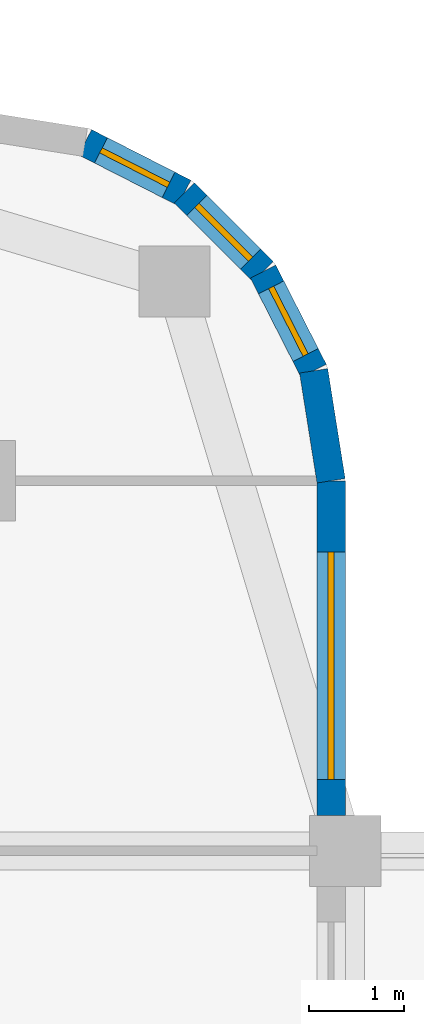
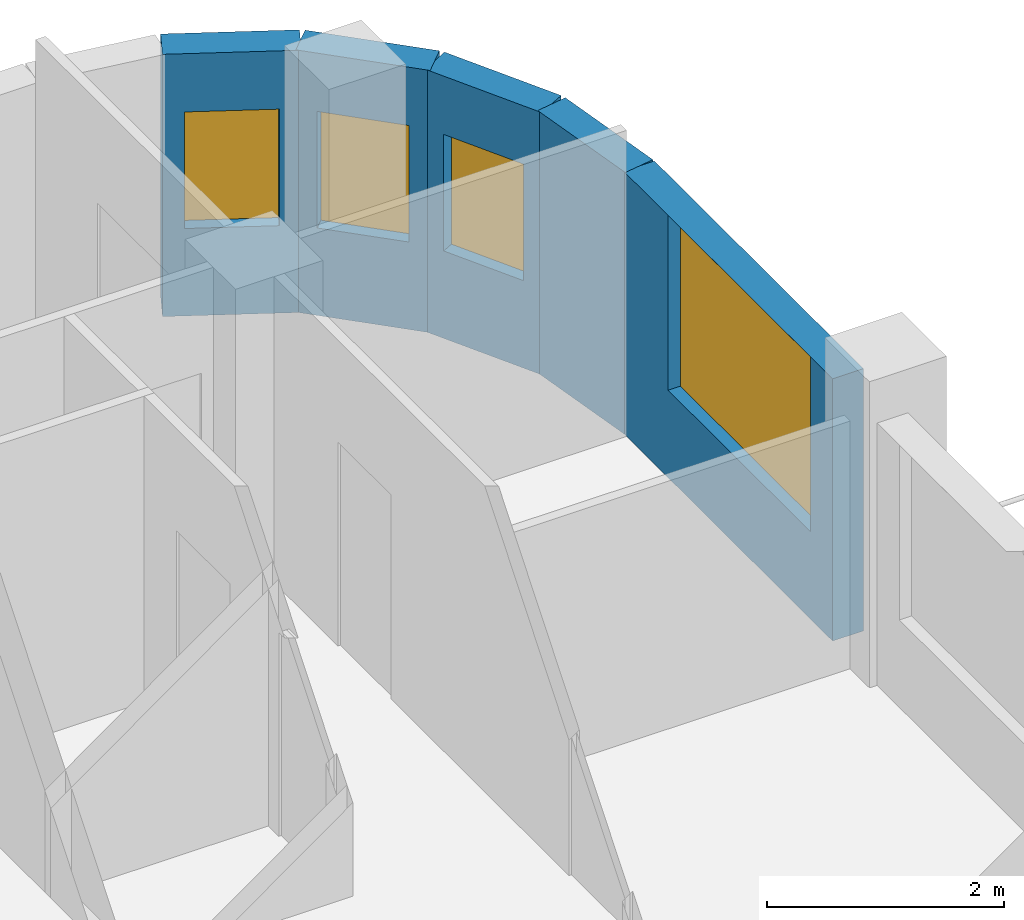
# One storey, part 9 of 13: 5 walls, 4 windows, 4 openings.
"""IFC4 building model written with IfcOpenShell, lengths in metres."""

from ifc_helpers import new_model, si_unit, direction, frame, frame_2d, origin, place, context, subcontext, project, spatial, rectangle, extrude, material, layer, layer_set, type_object, element, fill, save


model = new_model("IFC4")

# Units and contexts
model_context = context("Model", 3, precision=1e-05, world=origin(), true_north=direction((0.0, 1.0)))
body_context = subcontext(model_context, "Body", "Model", "MODEL_VIEW")
ifc_project = project(units=[si_unit("LENGTHUNIT", "METRE"), si_unit("AREAUNIT", "SQUARE_METRE"), si_unit("VOLUMEUNIT", "CUBIC_METRE"), si_unit("PLANEANGLEUNIT", "RADIAN"), si_unit("MASSUNIT", "GRAM", prefix="KILO")], contexts=[model_context])

# Site, building, storey
site_placement = place(None, origin())
site = spatial("IfcSite", under=ifc_project, at=site_placement, CompositionType="ELEMENT")
building_placement = place(site_placement, origin())
building = spatial("IfcBuilding", under=site, at=building_placement, Name="Ludao Terraces", CompositionType="ELEMENT")
storey_placement = place(building_placement, frame((0.0, 0.0, 155.39990234375)))
storey = spatial("IfcBuildingStorey", under=building, at=storey_placement, Name="L42", CompositionType="ELEMENT", Elevation=155.39990234375)

# Wall, opening, window
ifc_material_1 = material(Name="Granite cladding", Category="masonry")
ifc_layer_1 = layer(ifc_material_1, 0.0400390625, Category="stone")
ifc_material_2 = material(Name="Mineral wool")
ifc_layer_2 = layer(ifc_material_2, 0.06005859375)
ifc_material_3 = material(Name="Concrete C40", Category="concrete")
ifc_layer_3 = layer(ifc_material_3, 0.199951171875, Category="concrete")
ifc_layer_set_1 = layer_set([ifc_layer_1, ifc_layer_2, ifc_layer_3], Name="ENV Stone-clad wall 300")
wall_type = type_object("IfcWallType", Name="ENV Stone-clad wall 300", PredefinedType="SOLIDWALL", material=ifc_layer_set_1)
wall_1_placement = place(storey_placement, frame((104.35009765625, 77.074951171875, 0.0), z_axis=(0.0, 0.0, 1.0), x_axis=(0.0, 1.0, 0.0)))
wall_1 = element("IfcWall", 1, at=wall_1_placement, inside=storey, type_object=wall_type, Name="EW-L42-E5", PredefinedType="SOLIDWALL", context=body_context, shape_type="SweptSolid", body=[
    extrude(rectangle(XDim=3.525146484375, YDim=0.300048828125, at=frame_2d((1.7626953125, 0.0))), origin(), (0.0, 0.0, 1.0), 2.7001953125),
])
opening_1_placement = place(wall_1_placement, frame((0.375, 0.0, 0.89990234375)))
opening_1 = element("IfcOpeningElement", 2, at=opening_1_placement, cuts=wall_1, Name="Opening W1", PredefinedType="OPENING", context=body_context, shape_type="SweptSolid", body=[
    extrude(rectangle(XDim=2.39990234375, YDim=1.800048828125, at=frame_2d((1.199951171875, 0.89990234375))), frame((0.0, 0.16015625, 0.0), z_axis=(0.0, -1.0, 0.0), x_axis=(1.0, 0.0, 0.0)), (0.0, 0.0, 1.0), 0.320068359375),
])
ifc_material_4 = material(Name="Clear glass in aluminium frame", Category="aluminium")
ifc_layer_4 = layer(ifc_material_4, 0.06005859375)
ifc_layer_set_2 = layer_set([ifc_layer_4], Name="ENV Window W1 2400x1800")
window_type_1 = type_object("IfcWindowType", Name="ENV Window W1 2400x1800", PartitioningType="DOUBLE_PANEL_VERTICAL", PredefinedType="WINDOW", material=ifc_layer_set_2)
window_1_placement = place(opening_1_placement, origin())
window_1 = element("IfcWindow", 3, at=window_1_placement, inside=storey, type_object=window_type_1, Name="W-L42-E5-1", OverallHeight=1.800048828125, OverallWidth=2.39990234375, PartitioningType="DOUBLE_PANEL_VERTICAL", PredefinedType="WINDOW", context=body_context, shape_type="SweptSolid", body=[
    extrude(rectangle(XDim=2.39990234375, YDim=1.800048828125, at=frame_2d((1.199951171875, 0.89990234375))), frame((0.0, 0.030029296875, 0.0), z_axis=(0.0, -1.0, 0.0), x_axis=(1.0, 0.0, 0.0)), (0.0, 0.0, 1.0), 0.06005859375),
])
fill(opening_1, window_1)

# Wall
wall_2_placement = place(storey_placement, frame((104.35009765625, 80.60009765625, 0.0), z_axis=(0.0, 0.0, 1.0), x_axis=(-0.156496880861, 0.987678452879, 0.0)))
element("IfcWall", 4, at=wall_2_placement, inside=storey, type_object=wall_type, Name="EW-L42-NE1", PredefinedType="SOLIDWALL", context=body_context, shape_type="SweptSolid", body=[
    extrude(rectangle(XDim=1.173095703125, YDim=0.300048828125, at=frame_2d((0.58642578125, 0.0))), origin(), (0.0, 0.0, 1.0), 2.7001953125),
])

# Wall, opening, window
wall_3_placement = place(storey_placement, frame((104.16650390625, 81.7587890625, 0.0), z_axis=(0.0, 0.0, 1.0), x_axis=(-0.454025524128, 0.890988677504, 0.0)))
wall_3 = element("IfcWall", 5, at=wall_3_placement, inside=storey, type_object=wall_type, Name="EW-L42-NE2", PredefinedType="SOLIDWALL", context=body_context, shape_type="SweptSolid", body=[
    extrude(rectangle(XDim=1.17333984375, YDim=0.300048828125, at=frame_2d((0.586669921875, 0.0))), origin(), (0.0, 0.0, 1.0), 2.7001953125),
])
opening_2_placement = place(wall_3_placement, frame((0.1865234375, 0.0, 0.89990234375)))
opening_2 = element("IfcOpeningElement", 6, at=opening_2_placement, cuts=wall_3, Name="Opening W3", PredefinedType="OPENING", context=body_context, shape_type="SweptSolid", body=[
    extrude(rectangle(XDim=0.800048828125, YDim=1.199951171875, at=frame_2d((0.39990234375, 0.60009765625))), frame((0.0, 0.16015625, 0.0), z_axis=(0.0, -1.0, 0.0), x_axis=(1.0, 0.0, 0.0)), (0.0, 0.0, 1.0), 0.320068359375),
])
ifc_layer_5 = layer(ifc_material_4, 0.06005859375)
ifc_layer_set_3 = layer_set([ifc_layer_5], Name="ENV Window W3 800x1200")
window_type_2 = type_object("IfcWindowType", Name="ENV Window W3 800x1200", PartitioningType="SINGLE_PANEL", PredefinedType="WINDOW", material=ifc_layer_set_3)
window_2_placement = place(opening_2_placement, origin())
window_2 = element("IfcWindow", 7, at=window_2_placement, inside=storey, type_object=window_type_2, Name="W-L42-NE2", OverallHeight=1.199951171875, OverallWidth=0.800048828125, PartitioningType="SINGLE_PANEL", PredefinedType="WINDOW", context=body_context, shape_type="SweptSolid", body=[
    extrude(rectangle(XDim=0.800048828125, YDim=1.199951171875, at=frame_2d((0.39990234375, 0.60009765625))), frame((0.0, 0.030029296875, 0.0), z_axis=(0.0, -1.0, 0.0), x_axis=(1.0, 0.0, 0.0)), (0.0, 0.0, 1.0), 0.06005859375),
])
fill(opening_2, window_2)

wall_4_placement = place(storey_placement, frame((103.6337890625, 82.80419921875, 0.0), z_axis=(0.0, 0.0, 1.0), x_axis=(-0.707106781187, 0.707106781187, 0.0)))
wall_4 = element("IfcWall", 8, at=wall_4_placement, inside=storey, type_object=wall_type, Name="EW-L42-NE3", PredefinedType="SOLIDWALL", context=body_context, shape_type="SweptSolid", body=[
    extrude(rectangle(XDim=1.173095703125, YDim=0.300048828125, at=frame_2d((0.58642578125, 0.0))), origin(), (0.0, 0.0, 1.0), 2.7001953125),
])
opening_3_placement = place(wall_4_placement, frame((0.1865234375, 0.0, 0.89990234375)))
opening_3 = element("IfcOpeningElement", 9, at=opening_3_placement, cuts=wall_4, Name="Opening W3", PredefinedType="OPENING", context=body_context, shape_type="SweptSolid", body=[
    extrude(rectangle(XDim=0.800048828125, YDim=1.199951171875, at=frame_2d((0.39990234375, 0.60009765625))), frame((0.0, 0.16015625, 0.0), z_axis=(0.0, -1.0, 0.0), x_axis=(1.0, 0.0, 0.0)), (0.0, 0.0, 1.0), 0.320068359375),
])
window_3_placement = place(opening_3_placement, origin())
window_3 = element("IfcWindow", 10, at=window_3_placement, inside=storey, type_object=window_type_2, Name="W-L42-NE3", OverallHeight=1.199951171875, OverallWidth=0.800048828125, PartitioningType="SINGLE_PANEL", PredefinedType="WINDOW", context=body_context, shape_type="SweptSolid", body=[
    extrude(rectangle(XDim=0.800048828125, YDim=1.199951171875, at=frame_2d((0.39990234375, 0.60009765625))), frame((0.0, 0.030029296875, 0.0), z_axis=(0.0, -1.0, 0.0), x_axis=(1.0, 0.0, 0.0)), (0.0, 0.0, 1.0), 0.06005859375),
])
fill(opening_3, window_3)

wall_5_placement = place(storey_placement, frame((102.80419921875, 83.6337890625, 0.0), z_axis=(0.0, 0.0, 1.0), x_axis=(-0.890988677504, 0.454025524128, 0.0)))
wall_5 = element("IfcWall", 11, at=wall_5_placement, inside=storey, type_object=wall_type, Name="EW-L42-NE4", PredefinedType="SOLIDWALL", context=body_context, shape_type="SweptSolid", body=[
    extrude(rectangle(XDim=1.17333984375, YDim=0.300048828125, at=frame_2d((0.586669921875, 0.0))), origin(), (0.0, 0.0, 1.0), 2.7001953125),
])
opening_4_placement = place(wall_5_placement, frame((0.1865234375, 0.0, 0.89990234375)))
opening_4 = element("IfcOpeningElement", 12, at=opening_4_placement, cuts=wall_5, Name="Opening W3", PredefinedType="OPENING", context=body_context, shape_type="SweptSolid", body=[
    extrude(rectangle(XDim=0.800048828125, YDim=1.199951171875, at=frame_2d((0.39990234375, 0.60009765625))), frame((0.0, 0.16015625, 0.0), z_axis=(0.0, -1.0, 0.0), x_axis=(1.0, 0.0, 0.0)), (0.0, 0.0, 1.0), 0.320068359375),
])
window_4_placement = place(opening_4_placement, origin())
window_4 = element("IfcWindow", 13, at=window_4_placement, inside=storey, type_object=window_type_2, Name="W-L42-NE4", OverallHeight=1.199951171875, OverallWidth=0.800048828125, PartitioningType="SINGLE_PANEL", PredefinedType="WINDOW", context=body_context, shape_type="SweptSolid", body=[
    extrude(rectangle(XDim=0.800048828125, YDim=1.199951171875, at=frame_2d((0.39990234375, 0.60009765625))), frame((0.0, 0.030029296875, 0.0), z_axis=(0.0, -1.0, 0.0), x_axis=(1.0, 0.0, 0.0)), (0.0, 0.0, 1.0), 0.06005859375),
])
fill(opening_4, window_4)

save(model, "model.ifc")
